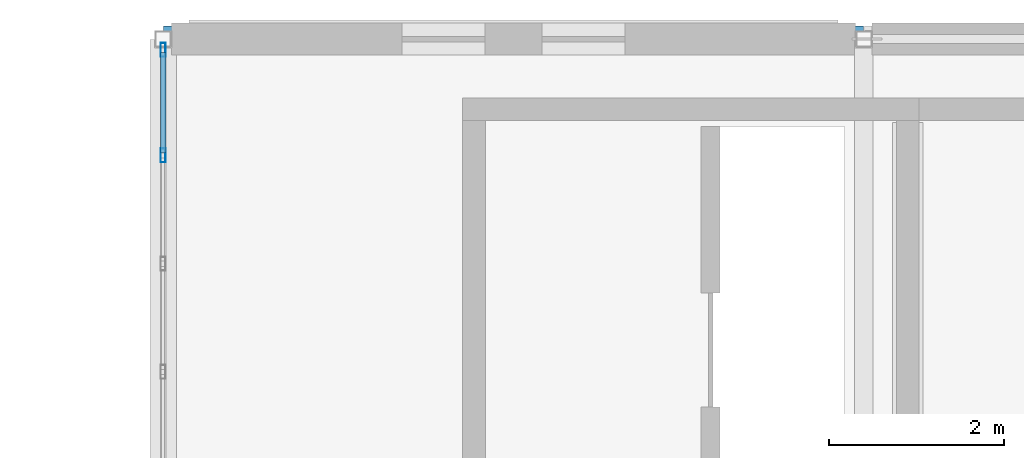
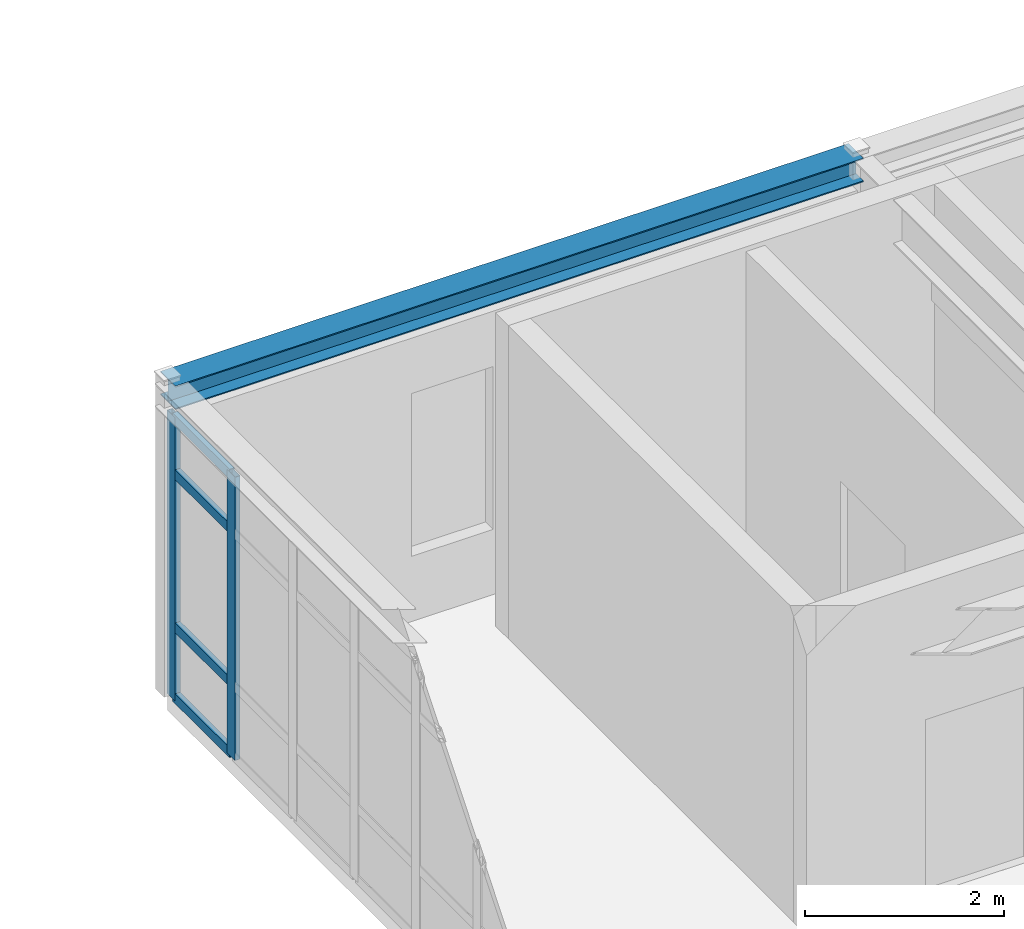
# One storey, part 16 of 26: 6 members, 1 beam, 1 element without a shape of its own.
"""IFC4 building model written with IfcOpenShell, lengths in metres."""

from ifc_helpers import new_model, si_unit, direction, frame, origin, origin_2d, place, context, subcontext, project, spatial, hollow_rectangle, i_section, extrude, material, layer, layer_set, material_profile, profile_set, type_object, element, aggregate, save


model = new_model("IFC4")

# Units and contexts
model_context = context("Model", 3, precision=1e-05, world=origin(), true_north=direction((0.0, 1.0)))
body_context = subcontext(model_context, "Body", "Model", "MODEL_VIEW")
ifc_project = project(units=[si_unit("LENGTHUNIT", "METRE"), si_unit("AREAUNIT", "SQUARE_METRE"), si_unit("VOLUMEUNIT", "CUBIC_METRE"), si_unit("PLANEANGLEUNIT", "RADIAN"), si_unit("MASSUNIT", "GRAM", prefix="KILO")], contexts=[model_context])

# Site, building, storey
site_placement = place(None, origin())
site = spatial("IfcSite", under=ifc_project, at=site_placement, CompositionType="ELEMENT")
building_placement = place(site_placement, origin())
building = spatial("IfcBuilding", under=site, at=building_placement, Name="Montecoro Central Library", CompositionType="ELEMENT")
storey_placement = place(building_placement, frame((0.0, 0.0, 21.419921875)))
storey = spatial("IfcBuildingStorey", under=building, at=storey_placement, Name="L05", CompositionType="ELEMENT", Elevation=21.419921875)

# Beam
ifc_material_1 = material(Name="Steel S355", Category="steel")
ifc_material_profile_1 = material_profile(ifc_material_1, i_section(OverallWidth=0.300048828125, OverallDepth=0.2900390625, WebThickness=0.008544921875, FlangeThickness=0.013916015625, at=origin_2d()), Name="HEA 300")
ifc_profile_set_1 = profile_set([ifc_material_profile_1], Name="Steel S355")
beam_type = type_object("IfcBeamType", Name="BM-SP-HEA300", PredefinedType="SPANDREL", material=ifc_profile_set_1)
beam_placement = place(storey_placement, frame((141.0048828125, 119.0, 3.68017578125), z_axis=(1.0, 0.0, 0.0), x_axis=(0.0, 1.0, 0.0)))
element("IfcBeam", 1, at=beam_placement, inside=storey, type_object=beam_type, Name="V5-L05-BX-1819-R", PredefinedType="SPANDREL", context=body_context, shape_type="SweptSolid", body=[
    extrude(i_section(OverallWidth=0.300048828125, OverallDepth=0.2900390625, WebThickness=0.008544921875, FlangeThickness=0.013916015625, at=origin_2d()), origin(), (0.0, 0.0, 1.0), 7.990234375),
])

# Curtain wall, members
ifc_material_2 = material(Name="Bronze-anodised aluminium and low-E glazing", Category="aluminium")
ifc_layer = layer(ifc_material_2, 0.159912109375)
ifc_layer_set = layer_set([ifc_layer], Name="Bronze-anodised aluminium and low-E glazing")
curtain_wall_type = type_object("IfcCurtainWallType", Name="CWT-057", PredefinedType="NOTDEFINED", material=ifc_layer_set)
curtain_wall_placement = place(storey_placement, origin())
curtain_wall = element("IfcCurtainWall", 2, at=curtain_wall_placement, inside=storey, type_object=curtain_wall_type, Name="V5-L05-CW-W1", PredefinedType="NOTDEFINED")
ifc_material_3 = material(Name="Bronze-anodised aluminium", Category="aluminium")
ifc_material_profile_2 = material_profile(ifc_material_3, hollow_rectangle(XDim=0.06005859375, YDim=0.159912109375, WallThickness=0.00390625, at=origin_2d()), Name="CWM 160x60x4.0")
ifc_profile_set_2 = profile_set([ifc_material_profile_2], Name="Bronze-anodised aluminium")
member_type_1 = type_object("IfcMemberType", Name="CWM-BRZ-60", PredefinedType="MULLION", material=ifc_profile_set_2)
member_1_placement = place(storey_placement, frame((141.0, 118.876953125, 0.0), z_axis=(0.0, 0.0, 1.0), x_axis=(1.0, 0.0, 0.0)))
member_1 = element("IfcMember", 3, at=member_1_placement, type_object=member_type_1, Name="CW-057 mullion 1", PredefinedType="MULLION", context=body_context, shape_type="SweptSolid", body=[
    extrude(hollow_rectangle(XDim=0.06005859375, YDim=0.159912109375, WallThickness=0.00390625, at=origin_2d()), origin(), (0.0, 0.0, 1.0), 3.47998046875),
])
member_2_placement = place(storey_placement, frame((141.0, 117.67138671875, 0.0), z_axis=(0.0, 0.0, 1.0), x_axis=(1.0, 0.0, 0.0)))
member_2 = element("IfcMember", 4, at=member_2_placement, type_object=member_type_1, Name="CW-057 mullion 2", PredefinedType="MULLION", context=body_context, shape_type="SweptSolid", body=[
    extrude(hollow_rectangle(XDim=0.06005859375, YDim=0.159912109375, WallThickness=0.00390625, at=origin_2d()), origin(), (0.0, 0.0, 1.0), 3.47998046875),
])
ifc_material_profile_3 = material_profile(ifc_material_3, hollow_rectangle(XDim=0.06005859375, YDim=0.1201171875, WallThickness=0.00390625, at=origin_2d()), Name="CWT 120x60x4.0")
ifc_profile_set_3 = profile_set([ifc_material_profile_3], Name="Bronze-anodised aluminium")
member_type_2 = type_object("IfcMemberType", Name="CWT-BRZ-60", PredefinedType="USERDEFINED", material=ifc_profile_set_3)
member_3_placement = place(storey_placement, frame((141.0, 118.846923828125, 0.030029296875), z_axis=(0.0, -1.0, 0.0), x_axis=(1.0, 0.0, 0.0)))
member_3 = element("IfcMember", 5, at=member_3_placement, type_object=member_type_2, Name="CW-057 transom 1.1", ObjectType="TRANSOM", PredefinedType="USERDEFINED", context=body_context, shape_type="SweptSolid", body=[
    extrude(hollow_rectangle(XDim=0.06005859375, YDim=0.1201171875, WallThickness=0.00390625, at=origin_2d()), origin(), (0.0, 0.0, 1.0), 1.1455078125),
])
member_4_placement = place(storey_placement, frame((141.0, 118.846923828125, 0.900146484375), z_axis=(0.0, -1.0, 0.0), x_axis=(1.0, 0.0, 0.0)))
member_4 = element("IfcMember", 6, at=member_4_placement, type_object=member_type_2, Name="CW-057 transom 1.2", ObjectType="TRANSOM", PredefinedType="USERDEFINED", context=body_context, shape_type="SweptSolid", body=[
    extrude(hollow_rectangle(XDim=0.06005859375, YDim=0.1201171875, WallThickness=0.00390625, at=origin_2d()), origin(), (0.0, 0.0, 1.0), 1.1455078125),
])
member_5_placement = place(storey_placement, frame((141.0, 118.846923828125, 2.780029296875), z_axis=(0.0, -1.0, 0.0), x_axis=(1.0, 0.0, 0.0)))
member_5 = element("IfcMember", 7, at=member_5_placement, type_object=member_type_2, Name="CW-057 transom 1.3", ObjectType="TRANSOM", PredefinedType="USERDEFINED", context=body_context, shape_type="SweptSolid", body=[
    extrude(hollow_rectangle(XDim=0.06005859375, YDim=0.1201171875, WallThickness=0.00390625, at=origin_2d()), origin(), (0.0, 0.0, 1.0), 1.1455078125),
])
member_6_placement = place(storey_placement, frame((141.0, 118.846923828125, 3.4501953125), z_axis=(0.0, -1.0, 0.0), x_axis=(1.0, 0.0, 0.0)))
member_6 = element("IfcMember", 8, at=member_6_placement, type_object=member_type_2, Name="CW-057 transom 1.4", ObjectType="TRANSOM", PredefinedType="USERDEFINED", context=body_context, shape_type="SweptSolid", body=[
    extrude(hollow_rectangle(XDim=0.06005859375, YDim=0.1201171875, WallThickness=0.00390625, at=origin_2d()), origin(), (0.0, 0.0, 1.0), 1.1455078125),
])
aggregate(curtain_wall, [member_1, member_2, member_3, member_4, member_5, member_6])

save(model, "model.ifc")
